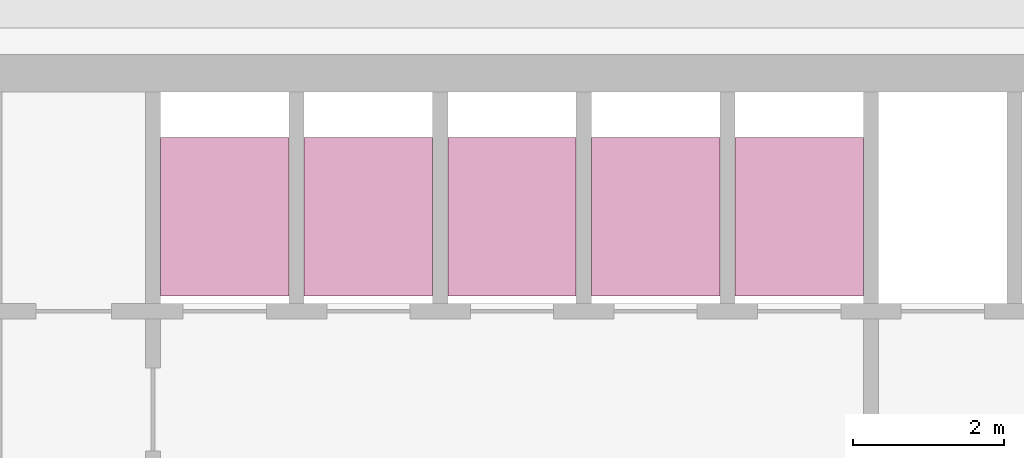
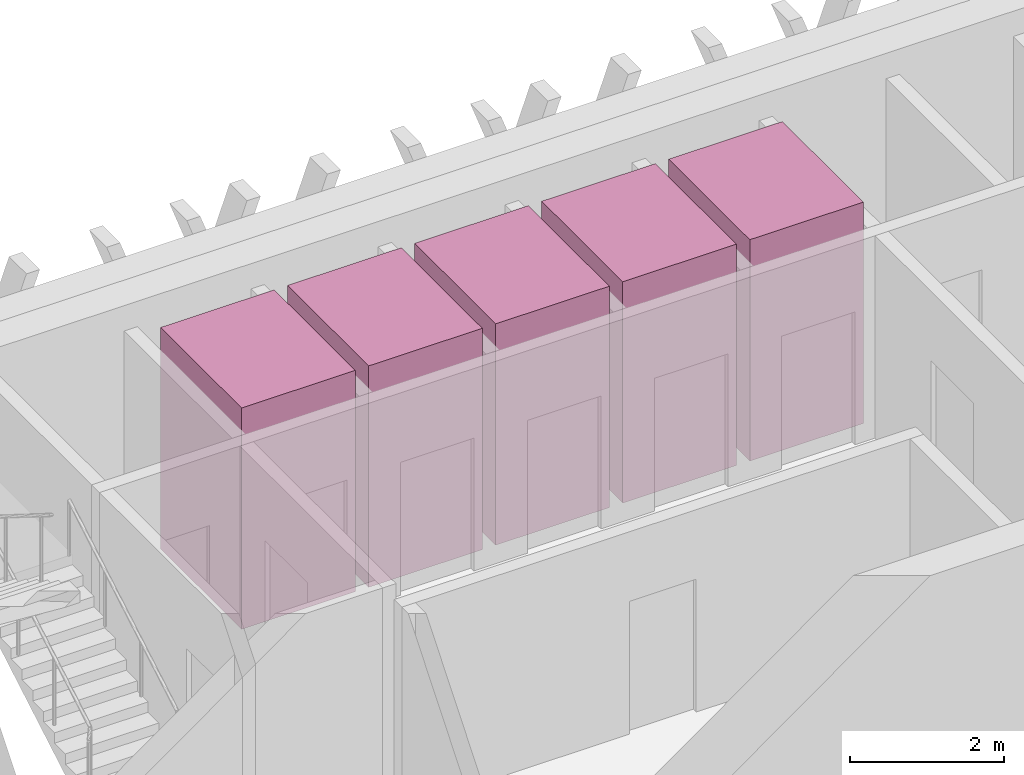
# One storey, part 14 of 14: 5 transport elements.
"""IFC4 building model written with IfcOpenShell, lengths in metres."""

from ifc_helpers import new_model, si_unit, direction, frame, origin, origin_2d, place, context, subcontext, project, spatial, rectangle, extrude, material, type_object, element, save


model = new_model("IFC4")

# Units and contexts
model_context = context("Model", 3, precision=1e-05, world=origin(), true_north=direction((0.0, 1.0)))
body_context = subcontext(model_context, "Body", "Model", "MODEL_VIEW")
ifc_project = project(units=[si_unit("LENGTHUNIT", "METRE"), si_unit("AREAUNIT", "SQUARE_METRE"), si_unit("VOLUMEUNIT", "CUBIC_METRE"), si_unit("PLANEANGLEUNIT", "RADIAN"), si_unit("MASSUNIT", "GRAM", prefix="KILO")], contexts=[model_context])

# Site, building, storey
site_placement = place(None, origin())
site = spatial("IfcSite", under=ifc_project, at=site_placement, CompositionType="ELEMENT")
building_placement = place(site_placement, origin())
building = spatial("IfcBuilding", under=site, at=building_placement, Name="Altiplano Prism Tower", CompositionType="ELEMENT")
storey_placement = place(building_placement, frame((0.0, 0.0, 271.60009765625)))
storey = spatial("IfcBuildingStorey", under=building, at=storey_placement, Name="L70", CompositionType="ELEMENT", Elevation=271.60009765625)

# Transport elements
ifc_material = material(Name="Stainless steel lift car", Category="steel")
transport_element_type = type_object("IfcTransportElementType", Name="Passenger lift car 1600 x 2100", PredefinedType="ELEVATOR", material=ifc_material)
for number, where, z_axis, x_axis, name in (
    (1, (79.050048828125, 101.75, 0.0498046875), (0.0, 0.0, 1.0), (1.0, 0.0, 0.0), "High Zone Passenger Lift 1"),
    (2, (80.949951171875, 101.75, 0.0498046875), (0.0, 0.0, 1.0), (1.0, 0.0, 0.0), "High Zone Passenger Lift 2"),
    (3, (82.85009765625, 101.75, 0.0498046875), (0.0, 0.0, 1.0), (1.0, 0.0, 0.0), "High Zone Passenger Lift 3"),
    (4, (84.75, 101.75, 0.0498046875), (0.0, 0.0, 1.0), (1.0, 0.0, 0.0), "High Zone Passenger Lift 4"),
    (5, (86.64990234375, 101.75, 0.0498046875), (0.0, 0.0, 1.0), (1.0, 0.0, 0.0), "High Zone Passenger Lift 5"),
):
    element("IfcTransportElement", number, at=place(storey_placement, frame(where, z_axis=z_axis, x_axis=x_axis)), inside=storey, type_object=transport_element_type, Name=name, PredefinedType="ELEVATOR", context=body_context, shape_type="SweptSolid", body=[
        extrude(rectangle(XDim=1.699951171875, YDim=2.10009765625, at=origin_2d()), origin(), (0.0, 0.0, 1.0), 3.5),
    ])

save(model, "model.ifc")
